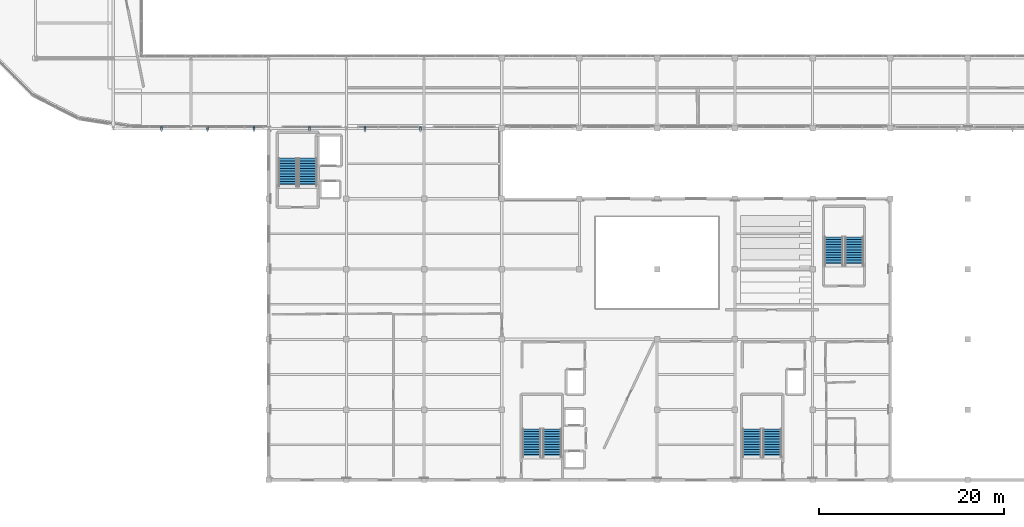
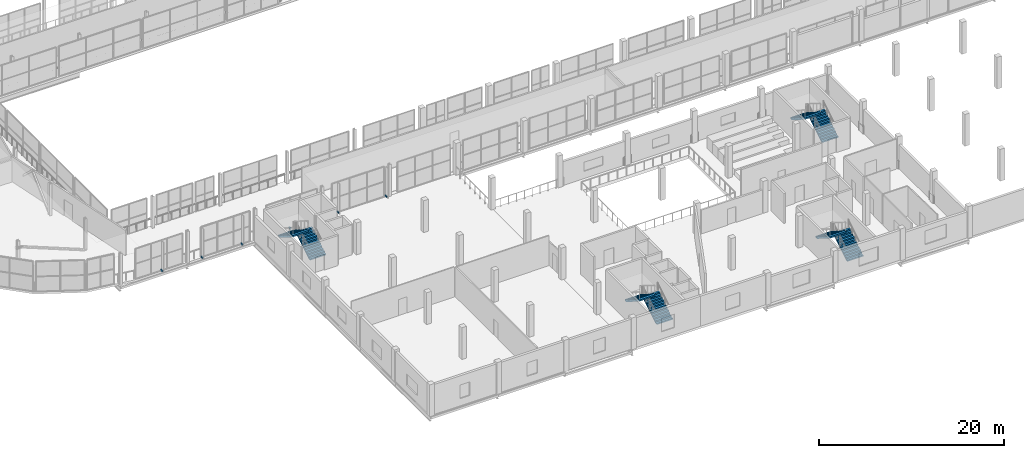
# One storey, part 134 of 151: 8 stair flights, 6 discrete accessories, 4 elements without a shape of their own.
"""IFC4 building model written with IfcOpenShell, lengths in metres."""

from ifc_helpers import new_model, si_unit, direction, frame, origin, origin_2d, place, context, subcontext, project, spatial, polyline, rectangle, outline, extrude, material, type_object, element, aggregate, save


model = new_model("IFC4")

# Units and contexts
model_context = context("Model", 3, precision=1e-05, world=origin(), true_north=direction((0.0, 1.0)))
body_context = subcontext(model_context, "Body", "Model", "MODEL_VIEW")
ifc_project = project(units=[si_unit("LENGTHUNIT", "METRE"), si_unit("AREAUNIT", "SQUARE_METRE"), si_unit("VOLUMEUNIT", "CUBIC_METRE"), si_unit("PLANEANGLEUNIT", "RADIAN"), si_unit("MASSUNIT", "GRAM", prefix="KILO")], contexts=[model_context])

# Site, building, storey
site_placement = place(None, origin())
site = spatial("IfcSite", under=ifc_project, at=site_placement, CompositionType="ELEMENT")
building_placement = place(site_placement, origin())
building = spatial("IfcBuilding", under=site, at=building_placement, Name="Zuvorla Pavilion Media Centre", CompositionType="ELEMENT")
storey_placement = place(building_placement, frame((0.0, 0.0, 13.800048828125)))
storey = spatial("IfcBuildingStorey", under=building, at=storey_placement, Name="L03", CompositionType="ELEMENT", Elevation=13.800048828125)

# Stair, stair flights
ifc_material_1 = material(Name="Concrete C40/50", Category="concrete")
stair_type = type_object("IfcStairType", Name="STR-DOG-420", PredefinedType="TWO_STRAIGHT_RUN_STAIR", material=ifc_material_1)
stair_1_placement = place(storey_placement, origin())
stair_1 = element("IfcStair", 1, at=stair_1_placement, inside=storey, type_object=stair_type, Name="L03 exit stair ST-01", PredefinedType="TWO_STRAIGHT_RUN_STAIR")
stair_flight_type = type_object("IfcStairFlightType", Name="FLT-DOG-420", PredefinedType="STRAIGHT", material=ifc_material_1)
stair_flight_1_placement = place(storey_placement, frame((72.25, 8.449951171875, 0.0), z_axis=(0.0, 0.0, 1.0), x_axis=(0.0, 1.0, 0.0)))
stair_flight_1 = element("IfcStairFlight", 2, at=stair_flight_1_placement, type_object=stair_flight_type, Name="ST-01 flight 1", NumberOfRisers=12, NumberOfTreads=11, PredefinedType="STRAIGHT", RiserHeight=0.175, TreadLength=0.28, context=body_context, shape_type="SweptSolid", body=[
    extrude(outline(polyline([(0.0, 0.0), (0.0, 0.175048828125), (0.280029296875, 0.175048828125), (0.280029296875, 0.35009765625), (0.56005859375, 0.35009765625), (0.56005859375, 0.52490234375), (0.840087890625, 0.52490234375), (0.840087890625, 0.699951171875), (1.1201171875, 0.699951171875), (1.1201171875, 0.875), (1.39990234375, 0.875), (1.39990234375, 1.050048828125), (1.679931640625, 1.050048828125), (1.679931640625, 1.22509765625), (1.9599609375, 1.22509765625), (1.9599609375, 1.39990234375), (2.239990234375, 1.39990234375), (2.239990234375, 1.574951171875), (2.52001953125, 1.574951171875), (2.52001953125, 1.75), (2.800048828125, 1.75), (2.800048828125, 1.925048828125), (3.080078125, 1.925048828125), (3.080078125, 2.10009765625), (3.080078125, 1.736328125), (0.3017578125, 0.0), (0.0, 0.0)])), frame((0.0, 1.0, 0.0), z_axis=(0.0, -1.0, 0.0), x_axis=(1.0, 0.0, 0.0)), (0.0, 0.0, 1.0), 2.0),
])
stair_flight_2_placement = place(storey_placement, frame((70.050048828125, 11.530029296875, 2.099853515625), z_axis=(0.0, 0.0, 1.0), x_axis=(0.0, -1.0, 0.0)))
stair_flight_2 = element("IfcStairFlight", 3, at=stair_flight_2_placement, type_object=stair_flight_type, Name="ST-01 flight 2", NumberOfRisers=12, NumberOfTreads=11, PredefinedType="STRAIGHT", RiserHeight=0.175, TreadLength=0.28, context=body_context, shape_type="SweptSolid", body=[
    extrude(outline(polyline([(0.0, 0.0), (0.0, 0.175048828125), (0.280029296875, 0.175048828125), (0.280029296875, 0.35009765625), (0.56005859375, 0.35009765625), (0.56005859375, 0.52490234375), (0.840087890625, 0.52490234375), (0.840087890625, 0.699951171875), (1.1201171875, 0.699951171875), (1.1201171875, 0.875), (1.39990234375, 0.875), (1.39990234375, 1.050048828125), (1.679931640625, 1.050048828125), (1.679931640625, 1.22509765625), (1.9599609375, 1.22509765625), (1.9599609375, 1.39990234375), (2.239990234375, 1.39990234375), (2.239990234375, 1.574951171875), (2.52001953125, 1.574951171875), (2.52001953125, 1.75), (2.800048828125, 1.75), (2.800048828125, 1.925048828125), (3.080078125, 1.925048828125), (3.080078125, 2.10009765625), (3.080078125, 1.736328125), (0.3017578125, 0.0), (0.0, 0.0)])), frame((0.0, 1.0, 0.0), z_axis=(0.0, -1.0, 0.0), x_axis=(1.0, 0.0, 0.0)), (0.0, 0.0, 1.0), 2.0),
])
aggregate(stair_1, [stair_flight_1, stair_flight_2])

stair_2_placement = place(storey_placement, origin())
stair_2 = element("IfcStair", 4, at=stair_2_placement, inside=storey, type_object=stair_type, Name="L03 exit stair ST-02", PredefinedType="TWO_STRAIGHT_RUN_STAIR")
stair_flight_3_placement = place(storey_placement, frame((96.050048828125, 8.449951171875, 0.0), z_axis=(0.0, 0.0, 1.0), x_axis=(0.0, 1.0, 0.0)))
stair_flight_3 = element("IfcStairFlight", 5, at=stair_flight_3_placement, type_object=stair_flight_type, Name="ST-02 flight 1", NumberOfRisers=12, NumberOfTreads=11, PredefinedType="STRAIGHT", RiserHeight=0.175, TreadLength=0.28, context=body_context, shape_type="SweptSolid", body=[
    extrude(outline(polyline([(0.0, 0.0), (0.0, 0.175048828125), (0.280029296875, 0.175048828125), (0.280029296875, 0.35009765625), (0.56005859375, 0.35009765625), (0.56005859375, 0.52490234375), (0.840087890625, 0.52490234375), (0.840087890625, 0.699951171875), (1.1201171875, 0.699951171875), (1.1201171875, 0.875), (1.39990234375, 0.875), (1.39990234375, 1.050048828125), (1.679931640625, 1.050048828125), (1.679931640625, 1.22509765625), (1.9599609375, 1.22509765625), (1.9599609375, 1.39990234375), (2.239990234375, 1.39990234375), (2.239990234375, 1.574951171875), (2.52001953125, 1.574951171875), (2.52001953125, 1.75), (2.800048828125, 1.75), (2.800048828125, 1.925048828125), (3.080078125, 1.925048828125), (3.080078125, 2.10009765625), (3.080078125, 1.736328125), (0.3017578125, 0.0), (0.0, 0.0)])), frame((0.0, 1.0, 0.0), z_axis=(0.0, -1.0, 0.0), x_axis=(1.0, 0.0, 0.0)), (0.0, 0.0, 1.0), 2.0),
])
stair_flight_4_placement = place(storey_placement, frame((93.85009765625, 11.530029296875, 2.099853515625), z_axis=(0.0, 0.0, 1.0), x_axis=(0.0, -1.0, 0.0)))
stair_flight_4 = element("IfcStairFlight", 6, at=stair_flight_4_placement, type_object=stair_flight_type, Name="ST-02 flight 2", NumberOfRisers=12, NumberOfTreads=11, PredefinedType="STRAIGHT", RiserHeight=0.175, TreadLength=0.28, context=body_context, shape_type="SweptSolid", body=[
    extrude(outline(polyline([(0.0, 0.0), (0.0, 0.175048828125), (0.280029296875, 0.175048828125), (0.280029296875, 0.35009765625), (0.56005859375, 0.35009765625), (0.56005859375, 0.52490234375), (0.840087890625, 0.52490234375), (0.840087890625, 0.699951171875), (1.1201171875, 0.699951171875), (1.1201171875, 0.875), (1.39990234375, 0.875), (1.39990234375, 1.050048828125), (1.679931640625, 1.050048828125), (1.679931640625, 1.22509765625), (1.9599609375, 1.22509765625), (1.9599609375, 1.39990234375), (2.239990234375, 1.39990234375), (2.239990234375, 1.574951171875), (2.52001953125, 1.574951171875), (2.52001953125, 1.75), (2.800048828125, 1.75), (2.800048828125, 1.925048828125), (3.080078125, 1.925048828125), (3.080078125, 2.10009765625), (3.080078125, 1.736328125), (0.3017578125, 0.0), (0.0, 0.0)])), frame((0.0, 1.0, 0.0), z_axis=(0.0, -1.0, 0.0), x_axis=(1.0, 0.0, 0.0)), (0.0, 0.0, 1.0), 2.0),
])
aggregate(stair_2, [stair_flight_3, stair_flight_4])

stair_3_placement = place(storey_placement, origin())
stair_3 = element("IfcStair", 7, at=stair_3_placement, inside=storey, type_object=stair_type, Name="L03 exit stair ST-03", PredefinedType="TWO_STRAIGHT_RUN_STAIR")
stair_flight_5_placement = place(storey_placement, frame((45.85009765625, 37.699951171875, 0.0), z_axis=(0.0, 0.0, 1.0), x_axis=(0.0, 1.0, 0.0)))
stair_flight_5 = element("IfcStairFlight", 8, at=stair_flight_5_placement, type_object=stair_flight_type, Name="ST-03 flight 1", NumberOfRisers=12, NumberOfTreads=11, PredefinedType="STRAIGHT", RiserHeight=0.175, TreadLength=0.28, context=body_context, shape_type="SweptSolid", body=[
    extrude(outline(polyline([(0.0, 0.0), (0.0, 0.175048828125), (0.280029296875, 0.175048828125), (0.280029296875, 0.35009765625), (0.56005859375, 0.35009765625), (0.56005859375, 0.52490234375), (0.840087890625, 0.52490234375), (0.840087890625, 0.699951171875), (1.1201171875, 0.699951171875), (1.1201171875, 0.875), (1.39990234375, 0.875), (1.39990234375, 1.050048828125), (1.679931640625, 1.050048828125), (1.679931640625, 1.22509765625), (1.9599609375, 1.22509765625), (1.9599609375, 1.39990234375), (2.239990234375, 1.39990234375), (2.239990234375, 1.574951171875), (2.52001953125, 1.574951171875), (2.52001953125, 1.75), (2.800048828125, 1.75), (2.800048828125, 1.925048828125), (3.080078125, 1.925048828125), (3.080078125, 2.10009765625), (3.080078125, 1.736328125), (0.3017578125, 0.0), (0.0, 0.0)])), frame((0.0, 1.0, 0.0), z_axis=(0.0, -1.0, 0.0), x_axis=(1.0, 0.0, 0.0)), (0.0, 0.0, 1.0), 2.0),
])
stair_flight_6_placement = place(storey_placement, frame((43.64990234375, 40.780029296875, 2.099853515625), z_axis=(0.0, 0.0, 1.0), x_axis=(0.0, -1.0, 0.0)))
stair_flight_6 = element("IfcStairFlight", 9, at=stair_flight_6_placement, type_object=stair_flight_type, Name="ST-03 flight 2", NumberOfRisers=12, NumberOfTreads=11, PredefinedType="STRAIGHT", RiserHeight=0.175, TreadLength=0.28, context=body_context, shape_type="SweptSolid", body=[
    extrude(outline(polyline([(0.0, 0.0), (0.0, 0.175048828125), (0.280029296875, 0.175048828125), (0.280029296875, 0.35009765625), (0.56005859375, 0.35009765625), (0.56005859375, 0.52490234375), (0.840087890625, 0.52490234375), (0.840087890625, 0.699951171875), (1.1201171875, 0.699951171875), (1.1201171875, 0.875), (1.39990234375, 0.875), (1.39990234375, 1.050048828125), (1.679931640625, 1.050048828125), (1.679931640625, 1.22509765625), (1.9599609375, 1.22509765625), (1.9599609375, 1.39990234375), (2.239990234375, 1.39990234375), (2.239990234375, 1.574951171875), (2.52001953125, 1.574951171875), (2.52001953125, 1.75), (2.800048828125, 1.75), (2.800048828125, 1.925048828125), (3.080078125, 1.925048828125), (3.080078125, 2.10009765625), (3.080078125, 1.736328125), (0.3017578125, 0.0), (0.0, 0.0)])), frame((0.0, 1.0, 0.0), z_axis=(0.0, -1.0, 0.0), x_axis=(1.0, 0.0, 0.0)), (0.0, 0.0, 1.0), 2.0),
])
aggregate(stair_3, [stair_flight_5, stair_flight_6])

stair_4_placement = place(storey_placement, origin())
stair_4 = element("IfcStair", 10, at=stair_4_placement, inside=storey, type_object=stair_type, Name="L03 exit stair ST-04", PredefinedType="TWO_STRAIGHT_RUN_STAIR")
stair_flight_7_placement = place(storey_placement, frame((104.89990234375, 29.199951171875, 0.0), z_axis=(0.0, 0.0, 1.0), x_axis=(0.0, 1.0, 0.0)))
stair_flight_7 = element("IfcStairFlight", 11, at=stair_flight_7_placement, type_object=stair_flight_type, Name="ST-04 flight 1", NumberOfRisers=12, NumberOfTreads=11, PredefinedType="STRAIGHT", RiserHeight=0.175, TreadLength=0.28, context=body_context, shape_type="SweptSolid", body=[
    extrude(outline(polyline([(0.0, 0.0), (0.0, 0.175048828125), (0.280029296875, 0.175048828125), (0.280029296875, 0.35009765625), (0.56005859375, 0.35009765625), (0.56005859375, 0.52490234375), (0.840087890625, 0.52490234375), (0.840087890625, 0.699951171875), (1.1201171875, 0.699951171875), (1.1201171875, 0.875), (1.39990234375, 0.875), (1.39990234375, 1.050048828125), (1.679931640625, 1.050048828125), (1.679931640625, 1.22509765625), (1.9599609375, 1.22509765625), (1.9599609375, 1.39990234375), (2.239990234375, 1.39990234375), (2.239990234375, 1.574951171875), (2.52001953125, 1.574951171875), (2.52001953125, 1.75), (2.800048828125, 1.75), (2.800048828125, 1.925048828125), (3.080078125, 1.925048828125), (3.080078125, 2.10009765625), (3.080078125, 1.736328125), (0.3017578125, 0.0), (0.0, 0.0)])), frame((0.0, 1.0, 0.0), z_axis=(0.0, -1.0, 0.0), x_axis=(1.0, 0.0, 0.0)), (0.0, 0.0, 1.0), 2.0),
])
stair_flight_8_placement = place(storey_placement, frame((102.699951171875, 32.280029296875, 2.099853515625), z_axis=(0.0, 0.0, 1.0), x_axis=(0.0, -1.0, 0.0)))
stair_flight_8 = element("IfcStairFlight", 12, at=stair_flight_8_placement, type_object=stair_flight_type, Name="ST-04 flight 2", NumberOfRisers=12, NumberOfTreads=11, PredefinedType="STRAIGHT", RiserHeight=0.175, TreadLength=0.28, context=body_context, shape_type="SweptSolid", body=[
    extrude(outline(polyline([(0.0, 0.0), (0.0, 0.175048828125), (0.280029296875, 0.175048828125), (0.280029296875, 0.35009765625), (0.56005859375, 0.35009765625), (0.56005859375, 0.52490234375), (0.840087890625, 0.52490234375), (0.840087890625, 0.699951171875), (1.1201171875, 0.699951171875), (1.1201171875, 0.875), (1.39990234375, 0.875), (1.39990234375, 1.050048828125), (1.679931640625, 1.050048828125), (1.679931640625, 1.22509765625), (1.9599609375, 1.22509765625), (1.9599609375, 1.39990234375), (2.239990234375, 1.39990234375), (2.239990234375, 1.574951171875), (2.52001953125, 1.574951171875), (2.52001953125, 1.75), (2.800048828125, 1.75), (2.800048828125, 1.925048828125), (3.080078125, 1.925048828125), (3.080078125, 2.10009765625), (3.080078125, 1.736328125), (0.3017578125, 0.0), (0.0, 0.0)])), frame((0.0, 1.0, 0.0), z_axis=(0.0, -1.0, 0.0), x_axis=(1.0, 0.0, 0.0)), (0.0, 0.0, 1.0), 2.0),
])
aggregate(stair_4, [stair_flight_7, stair_flight_8])

# Discrete accessories
ifc_material_2 = material(Name="Galvanised steel S355 fixing bracket", Category="steel")
discrete_accessory_type = type_object("IfcDiscreteAccessoryType", Name="ACC-BRK-STL", PredefinedType="BRACKET", material=ifc_material_2)
for number, where, z_axis, x_axis, name in (
    (13, (30.0, 44.0, -0.01025390625), (0.0, 0.0, 1.0), (1.0, 0.0, 0.0), "L03 brise-soleil bracket 13"),
    (14, (35.0, 44.0, -0.01025390625), (0.0, 0.0, 1.0), (1.0, 0.0, 0.0), "L03 brise-soleil bracket 14"),
    (15, (40.0, 44.0, -0.01025390625), (0.0, 0.0, 1.0), (1.0, 0.0, 0.0), "L03 brise-soleil bracket 15"),
    (16, (46.0, 44.0, -0.01025390625), (0.0, 0.0, 1.0), (1.0, 0.0, 0.0), "L03 brise-soleil bracket 16"),
    (17, (52.0, 44.0, -0.01025390625), (0.0, 0.0, 1.0), (1.0, 0.0, 0.0), "L03 brise-soleil bracket 17"),
    (18, (58.0, 44.0, -0.01025390625), (0.0, 0.0, 1.0), (1.0, 0.0, 0.0), "L03 brise-soleil bracket 18"),
):
    element("IfcDiscreteAccessory", number, at=place(storey_placement, frame(where, z_axis=z_axis, x_axis=x_axis)), inside=storey, type_object=discrete_accessory_type, Name=name, PredefinedType="BRACKET", context=body_context, shape_type="SweptSolid", body=[
        extrude(rectangle(XDim=0.159912109375, YDim=0.360107421875, at=origin_2d()), origin(), (0.0, 0.0, 1.0), 0.179931640625),
    ])

save(model, "model.ifc")
